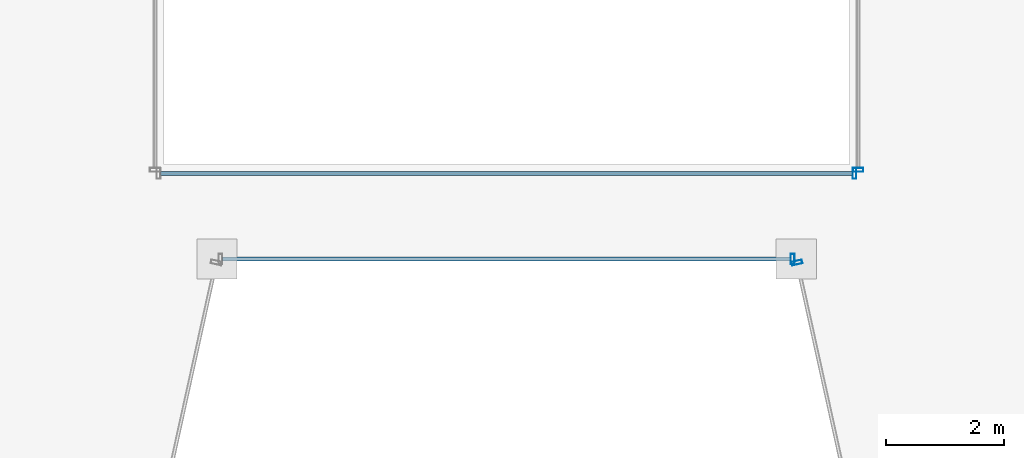
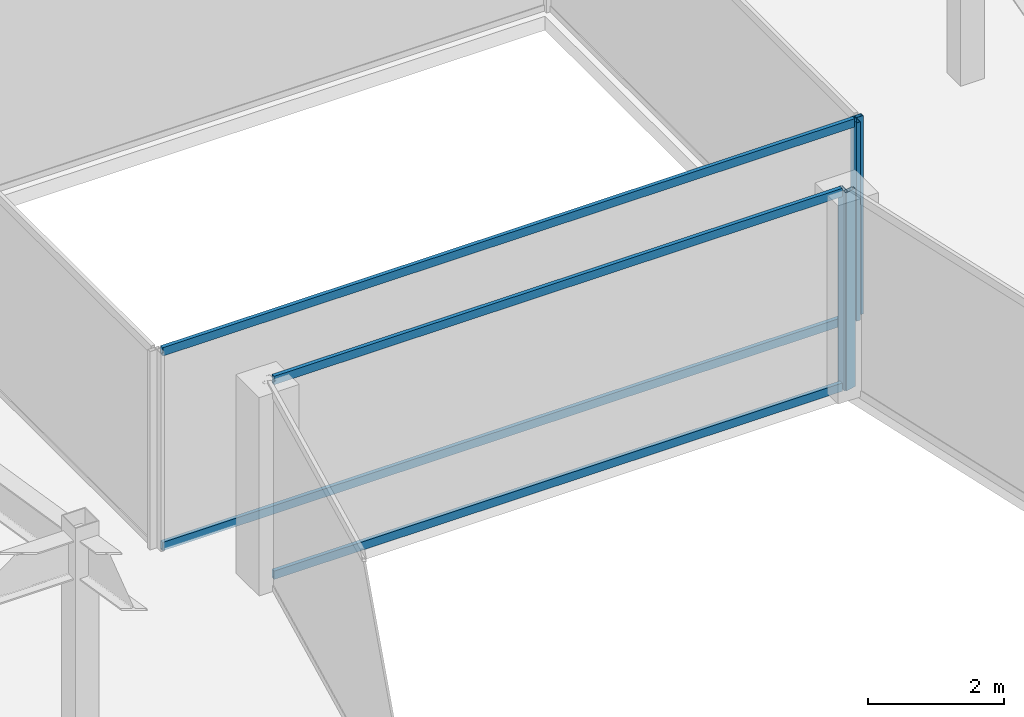
# One storey, part 8 of 35: 8 members, 4 elements without a shape of their own.
"""IFC4 building model written with IfcOpenShell, lengths in metres."""

from ifc_helpers import new_model, si_unit, direction, frame, origin, origin_2d, place, context, subcontext, project, spatial, hollow_rectangle, extrude, material, material_profile, profile_set, type_object, element, aggregate, save


model = new_model("IFC4")

# Units and contexts
model_context = context("Model", 3, precision=1e-05, world=origin(), true_north=direction((0.0, 1.0)))
body_context = subcontext(model_context, "Body", "Model", "MODEL_VIEW")
ifc_project = project(units=[si_unit("LENGTHUNIT", "METRE"), si_unit("AREAUNIT", "SQUARE_METRE"), si_unit("VOLUMEUNIT", "CUBIC_METRE"), si_unit("PLANEANGLEUNIT", "RADIAN"), si_unit("MASSUNIT", "GRAM", prefix="KILO")], contexts=[model_context])

# Site, building, storey
site_placement = place(None, origin())
site = spatial("IfcSite", under=ifc_project, at=site_placement, CompositionType="ELEMENT")
building_placement = place(site_placement, origin())
building = spatial("IfcBuilding", under=site, at=building_placement, Name="Saevonmaru Cultural Tower", CompositionType="ELEMENT")
storey_placement = place(building_placement, frame((0.0, 0.0, 217.0)))
storey = spatial("IfcBuildingStorey", under=building, at=storey_placement, Name="L50", CompositionType="ELEMENT", Elevation=217.0)

# Curtain wall, member
ifc_material = material(Name="Satin Bronze Anodised Aluminium", Category="aluminium")
curtain_wall_type_1 = type_object("IfcCurtainWallType", Name="CW-TYP-B", PredefinedType="NOTDEFINED", material=ifc_material)
curtain_wall_1_placement = place(storey_placement, origin())
curtain_wall_1 = element("IfcCurtainWall", 1, at=curtain_wall_1_placement, inside=storey, type_object=curtain_wall_type_1, Name="L50 Unitised Curtain Wall E4", PredefinedType="NOTDEFINED")
ifc_material_profile_1 = material_profile(ifc_material, hollow_rectangle(XDim=0.06494140625, YDim=0.179931640625, WallThickness=0.00390625, at=origin_2d()), Name="ALU-MULL-180x65x4")
ifc_profile_set_1 = profile_set([ifc_material_profile_1], Name="Satin Bronze Anodised Aluminium")
member_type_1 = type_object("IfcMemberType", Name="ML-CW-180x65", PredefinedType="MULLION", material=ifc_profile_set_1)
member_1_placement = place(storey_placement, frame((34.84228515625, 26.0, 0.0), z_axis=(0.0, 0.0, 1.0), x_axis=(1.0, 0.0, 0.0)))
member_1 = element("IfcMember", 2, at=member_1_placement, type_object=member_type_1, Name="CW-TW-L50-E4 mullion 2", PredefinedType="MULLION", context=body_context, shape_type="SweptSolid", body=[
    extrude(hollow_rectangle(XDim=0.06494140625, YDim=0.179931640625, WallThickness=0.00390625, at=origin_2d()), origin(), (0.0, 0.0, 1.0), 3.550048828125),
])

curtain_wall_2_placement = place(storey_placement, origin())
curtain_wall_2 = element("IfcCurtainWall", 3, at=curtain_wall_2_placement, inside=storey, type_object=curtain_wall_type_1, Name="L50 Unitised Curtain Wall E5", PredefinedType="NOTDEFINED")
member_2_placement = place(storey_placement, frame((34.9150390625, 25.94140625, 0.0), z_axis=(0.0, 0.0, 1.0), x_axis=(0.215413319953, -0.976522965212, 0.0)))
member_2 = element("IfcMember", 4, at=member_2_placement, type_object=member_type_1, Name="CW-TW-L50-E5 mullion 1", PredefinedType="MULLION", context=body_context, shape_type="SweptSolid", body=[
    extrude(hollow_rectangle(XDim=0.06494140625, YDim=0.179931640625, WallThickness=0.00390625, at=origin_2d()), origin(), (0.0, 0.0, 1.0), 3.550048828125),
])
aggregate(curtain_wall_2, [member_2])

curtain_wall_type_2 = type_object("IfcCurtainWallType", Name="CW-ATR-GLZ", PredefinedType="NOTDEFINED", material=ifc_material)
curtain_wall_3_placement = place(storey_placement, origin())
curtain_wall_3 = element("IfcCurtainWall", 5, at=curtain_wall_3_placement, inside=storey, type_object=curtain_wall_type_2, Name="L50 Vertical Atrium Glazed Smoke Screen 1", PredefinedType="NOTDEFINED")
ifc_material_profile_2 = material_profile(ifc_material, hollow_rectangle(XDim=0.06494140625, YDim=0.179931640625, WallThickness=0.00390625, at=origin_2d()), Name="ALU-MULL-180x65x4")
ifc_profile_set_2 = profile_set([ifc_material_profile_2], Name="Satin Bronze Anodised Aluminium")
member_type_2 = type_object("IfcMemberType", Name="ML-CW-INT-180x65", PredefinedType="MULLION", material=ifc_profile_set_2)
member_3_placement = place(storey_placement, frame((35.889892578125, 27.449951171875, 0.0), z_axis=(0.0, 0.0, 1.0), x_axis=(1.0, 0.0, 0.0)))
member_3 = element("IfcMember", 6, at=member_3_placement, type_object=member_type_2, Name="CW-ATR-L50-1 mullion 2", PredefinedType="MULLION", context=body_context, shape_type="SweptSolid", body=[
    extrude(hollow_rectangle(XDim=0.06494140625, YDim=0.179931640625, WallThickness=0.00390625, at=origin_2d()), origin(), (0.0, 0.0, 1.0), 3.550048828125),
])

curtain_wall_4_placement = place(storey_placement, origin())
curtain_wall_4 = element("IfcCurtainWall", 7, at=curtain_wall_4_placement, inside=storey, type_object=curtain_wall_type_2, Name="L50 Vertical Atrium Glazed Smoke Screen 2", PredefinedType="NOTDEFINED")
member_4_placement = place(storey_placement, frame((35.949951171875, 27.510009765625, 0.0), z_axis=(0.0, 0.0, 1.0), x_axis=(0.0, 1.0, 0.0)))
member_4 = element("IfcMember", 8, at=member_4_placement, type_object=member_type_2, Name="CW-ATR-L50-2 mullion 1", PredefinedType="MULLION", context=body_context, shape_type="SweptSolid", body=[
    extrude(hollow_rectangle(XDim=0.06494140625, YDim=0.179931640625, WallThickness=0.00390625, at=origin_2d()), origin(), (0.0, 0.0, 1.0), 3.550048828125),
])
aggregate(curtain_wall_4, [member_4])

# Member
ifc_material_profile_3 = material_profile(ifc_material, hollow_rectangle(XDim=0.06494140625, YDim=0.14990234375, WallThickness=0.00390625, at=origin_2d()), Name="ALU-TRAN-150x65x4")
ifc_profile_set_3 = profile_set([ifc_material_profile_3], Name="Satin Bronze Anodised Aluminium")
member_type_3 = type_object("IfcMemberType", Name="TR-CW-150x65", PredefinedType="USERDEFINED", material=ifc_profile_set_3)
member_5_placement = place(storey_placement, frame((25.190185546875, 26.0, 0.032470703125), z_axis=(1.0, 0.0, 0.0), x_axis=(0.0, 1.0, 0.0)))
member_5 = element("IfcMember", 9, at=member_5_placement, type_object=member_type_3, Name="CW-TW-L50-E4 transom 1.1", ObjectType="TRANSOM", PredefinedType="USERDEFINED", context=body_context, shape_type="SweptSolid", body=[
    extrude(hollow_rectangle(XDim=0.06494140625, YDim=0.14990234375, WallThickness=0.00390625, at=origin_2d()), origin(), (0.0, 0.0, 1.0), 9.61962890625),
])

member_6_placement = place(storey_placement, frame((25.190185546875, 26.0, 3.517578125), z_axis=(1.0, 0.0, 0.0), x_axis=(0.0, 1.0, 0.0)))
member_6 = element("IfcMember", 10, at=member_6_placement, type_object=member_type_3, Name="CW-TW-L50-E4 transom 1.2", ObjectType="TRANSOM", PredefinedType="USERDEFINED", context=body_context, shape_type="SweptSolid", body=[
    extrude(hollow_rectangle(XDim=0.06494140625, YDim=0.14990234375, WallThickness=0.00390625, at=origin_2d()), origin(), (0.0, 0.0, 1.0), 9.61962890625),
])

aggregate(curtain_wall_1, [member_1, member_5, member_6])

ifc_material_profile_4 = material_profile(ifc_material, hollow_rectangle(XDim=0.06494140625, YDim=0.14990234375, WallThickness=0.00390625, at=origin_2d()), Name="ALU-TRAN-150x65x4")
ifc_profile_set_4 = profile_set([ifc_material_profile_4], Name="Satin Bronze Anodised Aluminium")
member_type_4 = type_object("IfcMemberType", Name="TR-CW-INT-150x65", PredefinedType="USERDEFINED", material=ifc_profile_set_4)
member_7_placement = place(storey_placement, frame((24.142578125, 27.449951171875, 0.032470703125), z_axis=(1.0, 0.0, 0.0), x_axis=(0.0, 1.0, 0.0)))
member_7 = element("IfcMember", 11, at=member_7_placement, type_object=member_type_4, Name="CW-ATR-L50-1 transom 1.1", ObjectType="TRANSOM", PredefinedType="USERDEFINED", context=body_context, shape_type="SweptSolid", body=[
    extrude(hollow_rectangle(XDim=0.06494140625, YDim=0.14990234375, WallThickness=0.00390625, at=origin_2d()), origin(), (0.0, 0.0, 1.0), 11.71484375),
])

member_8_placement = place(storey_placement, frame((24.142578125, 27.449951171875, 3.517578125), z_axis=(1.0, 0.0, 0.0), x_axis=(0.0, 1.0, 0.0)))
member_8 = element("IfcMember", 12, at=member_8_placement, type_object=member_type_4, Name="CW-ATR-L50-1 transom 1.2", ObjectType="TRANSOM", PredefinedType="USERDEFINED", context=body_context, shape_type="SweptSolid", body=[
    extrude(hollow_rectangle(XDim=0.06494140625, YDim=0.14990234375, WallThickness=0.00390625, at=origin_2d()), origin(), (0.0, 0.0, 1.0), 11.71484375),
])

aggregate(curtain_wall_3, [member_3, member_7, member_8])

save(model, "model.ifc")
